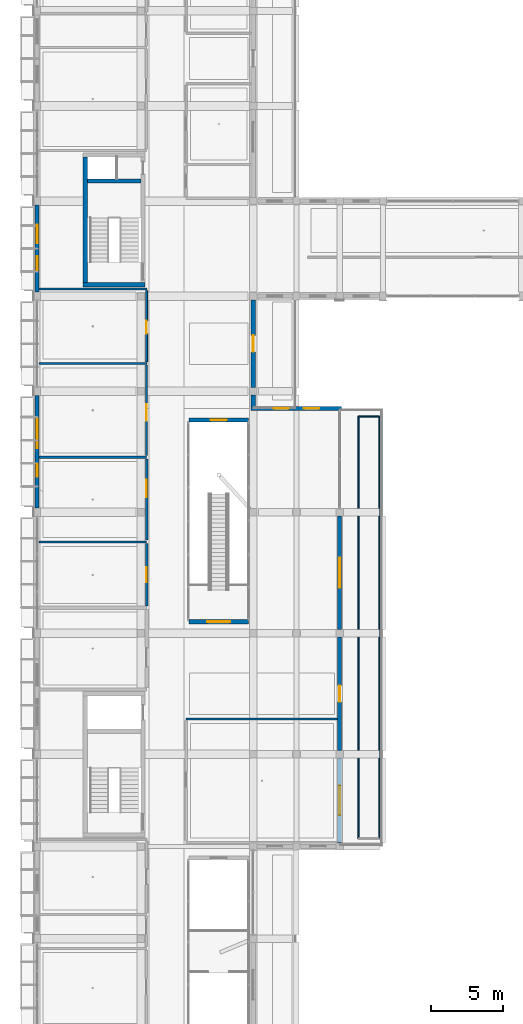
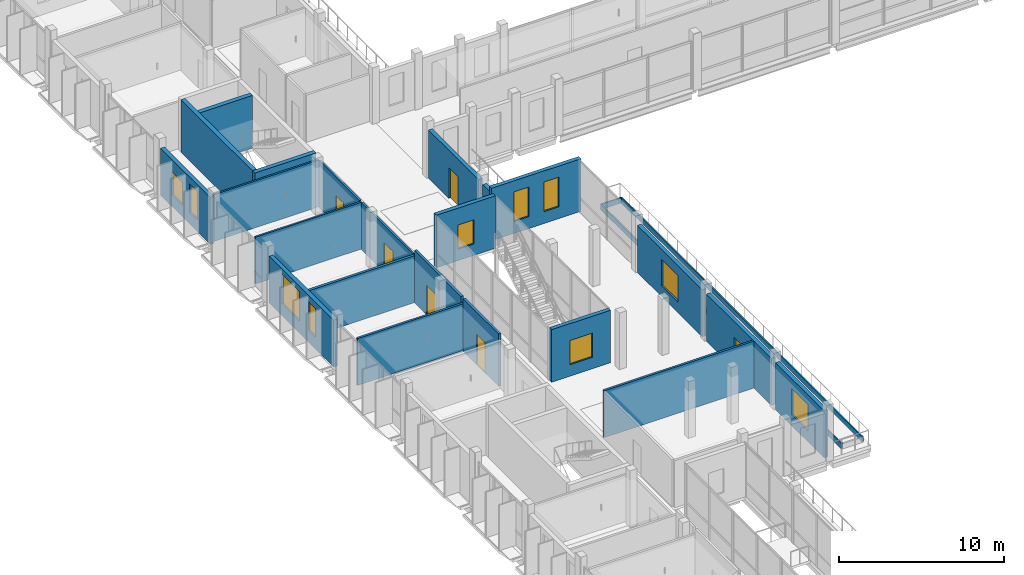
# One storey, part 49 of 85: 25 walls, 10 windows, 6 doors, 16 openings.
"""IFC4 building model written with IfcOpenShell, lengths in metres."""

from ifc_helpers import new_model, si_unit, derived_unit, direction, frame, frame_2d, origin, origin_with_axes, place, context, subcontext, project, spatial, rectangle, extrude, material, layer, layer_set, type_object, element, fill, save


model = new_model("IFC4")

# Units and contexts
model_context = context("Model", 3, precision=1e-05, world=origin(), true_north=direction((0.0, 1.0)))
body_context = subcontext(model_context, "Body", "Model", "MODEL_VIEW")
ifc_project = project(units=[si_unit("LENGTHUNIT", "METRE"), si_unit("AREAUNIT", "SQUARE_METRE"), si_unit("VOLUMEUNIT", "CUBIC_METRE"), si_unit("PLANEANGLEUNIT", "RADIAN"), si_unit("MASSUNIT", "GRAM", prefix="KILO"), derived_unit("THERMALTRANSMITTANCEUNIT", [(si_unit("POWERUNIT", "WATT"), 1), (si_unit("LENGTHUNIT", "METRE"), -2), (si_unit("THERMODYNAMICTEMPERATUREUNIT", "KELVIN"), -1)])], contexts=[model_context])

# Site, building, storey
site_placement = place(None, origin())
site = spatial("IfcSite", under=ifc_project, at=site_placement, CompositionType="ELEMENT")
building_placement = place(site_placement, origin())
building = spatial("IfcBuilding", under=site, at=building_placement, Name="Braskholm Square Health Centre", CompositionType="ELEMENT")
storey_placement = place(building_placement, frame((0.0, 0.0, 9.300048828125)))
storey = spatial("IfcBuildingStorey", under=building, at=storey_placement, Name="L03", CompositionType="ELEMENT", Elevation=9.300048828125)

# Wall, opening, door
ifc_material_1 = material(Name="Fire-rated gypsum board barrier")
ifc_layer_1 = layer(ifc_material_1, 0.175048828125)
ifc_layer_set_1 = layer_set([ifc_layer_1], Name="Fire-rated gypsum board barrier")
wall_type_1 = type_object("IfcWallType", Name="AmbulatoryFirePartition175", PredefinedType="PARTITIONING", material=ifc_layer_set_1)
wall_1_placement = place(storey_placement, frame((11.800048828125, 65.68994140625, 0.0), z_axis=(0.0, 0.0, 1.0), x_axis=(0.0, 1.0, 0.0)))
wall_1 = element("IfcWall", 1, at=wall_1_placement, inside=storey, type_object=wall_type_1, Name="Interior partition PWALL-L03-0127", PredefinedType="PARTITIONING", context=body_context, shape_type="SweptSolid", body=[
    extrude(rectangle(XDim=4.330078125, YDim=0.175048828125, at=frame_2d((2.1650390625, 0.0))), origin(), (0.0, 0.0, 1.0), 3.89501953125),
])
opening_1_placement = place(wall_1_placement, frame((1.639892578125, 0.0, 0.0)))
opening_1 = element("IfcOpeningElement", 2, at=opening_1_placement, cuts=wall_1, Name="Opening D-29", PredefinedType="OPENING", context=body_context, shape_type="SweptSolid", body=[
    extrude(rectangle(XDim=1.050048828125, YDim=2.239990234375, at=frame_2d((0.52490234375, 1.1201171875))), frame((0.0, 0.09765625, 0.0), z_axis=(0.0, -1.0, 0.0), x_axis=(1.0, 0.0, 0.0)), (0.0, 0.0, 1.0), 0.195068359375),
])
ifc_material_2 = material(Name="Architectural bronze anodised aluminium", Category="aluminium")
door_type_1 = type_object("IfcDoorType", Name="DoorLabSingle1050x2240", OperationType="NOTDEFINED", PredefinedType="DOOR", material=ifc_material_2)
door_1_placement = place(opening_1_placement, origin_with_axes())
door_1 = element("IfcDoor", 3, at=door_1_placement, inside=storey, type_object=door_type_1, Name="Interior door 0058 L03", OperationType="SINGLE_SWING_LEFT", OverallHeight=2.239990234375, OverallWidth=1.050048828125, PredefinedType="DOOR", context=body_context, shape_type="SweptSolid", body=[
    extrude(rectangle(XDim=1.050048828125, YDim=2.239990234375, at=frame_2d((0.52490234375, 1.1201171875))), frame((0.0, 0.02490234375, 0.0), z_axis=(0.0, -1.0, 0.0), x_axis=(1.0, 0.0, 0.0)), (0.0, 0.0, 1.0), 0.050048828125),
])
fill(opening_1, door_1)

wall_2_placement = place(storey_placement, frame((11.800048828125, 70.260009765625, 0.0), z_axis=(0.0, 0.0, 1.0), x_axis=(0.0, 1.0, 0.0)))
wall_2 = element("IfcWall", 4, at=wall_2_placement, inside=storey, type_object=wall_type_1, Name="Interior partition PWALL-L03-0129", PredefinedType="PARTITIONING", context=body_context, shape_type="SweptSolid", body=[
    extrude(rectangle(XDim=5.64990234375, YDim=0.175048828125, at=frame_2d((2.824951171875, 0.0))), origin(), (0.0, 0.0, 1.0), 3.89501953125),
])
opening_2_placement = place(wall_2_placement, frame((2.967041015625, 0.0, 0.0)))
opening_2 = element("IfcOpeningElement", 5, at=opening_2_placement, cuts=wall_2, Name="Opening D-04", PredefinedType="OPENING", context=body_context, shape_type="SweptSolid", body=[
    extrude(rectangle(XDim=1.219970703125, YDim=2.199951171875, at=frame_2d((0.60986328125, 1.10009765625))), frame((0.0, 0.09765625, 0.0), z_axis=(0.0, -1.0, 0.0), x_axis=(1.0, 0.0, 0.0)), (0.0, 0.0, 1.0), 0.195068359375),
])
door_type_2 = type_object("IfcDoorType", Name="DoorBariatricExam1220x2200", OperationType="NOTDEFINED", PredefinedType="DOOR", material=ifc_material_2)
door_2_placement = place(opening_2_placement, origin_with_axes())
door_2 = element("IfcDoor", 6, at=door_2_placement, inside=storey, type_object=door_type_2, Name="Interior door 0059 L03", OperationType="SINGLE_SWING_RIGHT", OverallHeight=2.199951171875, OverallWidth=1.219970703125, PredefinedType="DOOR", context=body_context, shape_type="SweptSolid", body=[
    extrude(rectangle(XDim=1.219970703125, YDim=2.199951171875, at=frame_2d((0.60986328125, 1.10009765625))), frame((0.0, 0.02490234375, 0.0), z_axis=(0.0, -1.0, 0.0), x_axis=(1.0, 0.0, 0.0)), (0.0, 0.0, 1.0), 0.050048828125),
])
fill(opening_2, door_2)

# Wall
wall_3_placement = place(storey_placement, frame((4.340087890625, 76.030029296875, 0.0), z_axis=(0.0, 0.0, 1.0), x_axis=(1.0, 0.0, 0.0)))
element("IfcWall", 7, at=wall_3_placement, inside=storey, type_object=wall_type_1, Name="Interior partition PWALL-L03-0130", PredefinedType="PARTITIONING", context=body_context, shape_type="SweptSolid", body=[
    extrude(rectangle(XDim=7.4599609375, YDim=0.175048828125, at=frame_2d((3.72998046875, 0.0))), origin(), (0.0, 0.0, 1.0), 3.474853515625),
])

# Wall, opening, door
ifc_material_3 = material(Name="Acoustic gypsum board partition")
ifc_layer_2 = layer(ifc_material_3, 0.125)
ifc_layer_set_2 = layer_set([ifc_layer_2], Name="Acoustic gypsum board partition")
wall_type_2 = type_object("IfcWallType", Name="ClinicalExamPartition125", PredefinedType="PARTITIONING", material=ifc_layer_set_2)
wall_4_placement = place(storey_placement, frame((11.800048828125, 76.14990234375, 0.0), z_axis=(0.0, 0.0, 1.0), x_axis=(0.0, 1.0, 0.0)))
wall_4 = element("IfcWall", 8, at=wall_4_placement, inside=storey, type_object=wall_type_2, Name="Interior partition PWALL-L03-0131", PredefinedType="PARTITIONING", context=body_context, shape_type="SweptSolid", body=[
    extrude(rectangle(XDim=6.260009765625, YDim=0.125, at=frame_2d((3.1298828125, 0.0))), origin(), (0.0, 0.0, 1.0), 3.494873046875),
])
opening_3_placement = place(wall_4_placement, frame((2.416015625, 0.0, 0.0)))
opening_3 = element("IfcOpeningElement", 9, at=opening_3_placement, cuts=wall_4, Name="Opening D-03", PredefinedType="OPENING", context=body_context, shape_type="SweptSolid", body=[
    extrude(rectangle(XDim=1.1201171875, YDim=2.199951171875, at=frame_2d((0.56005859375, 1.10009765625))), frame((0.0, 0.072509765625, 0.0), z_axis=(0.0, -1.0, 0.0), x_axis=(1.0, 0.0, 0.0)), (0.0, 0.0, 1.0), 0.14501953125),
])
door_type_3 = type_object("IfcDoorType", Name="DoorProcedure1120x2200", OperationType="NOTDEFINED", PredefinedType="DOOR", material=ifc_material_2)
door_3_placement = place(opening_3_placement, origin_with_axes())
door_3 = element("IfcDoor", 10, at=door_3_placement, inside=storey, type_object=door_type_3, Name="Interior door 0060 L03", OperationType="SINGLE_SWING_LEFT", OverallHeight=2.199951171875, OverallWidth=1.1201171875, PredefinedType="DOOR", context=body_context, shape_type="SweptSolid", body=[
    extrude(rectangle(XDim=1.1201171875, YDim=2.199951171875, at=frame_2d((0.56005859375, 1.10009765625))), frame((0.0, 0.02490234375, 0.0), z_axis=(0.0, -1.0, 0.0), x_axis=(1.0, 0.0, 0.0)), (0.0, 0.0, 1.0), 0.050048828125),
])
fill(opening_3, door_3)

# Wall
wall_5_placement = place(storey_placement, frame((4.340087890625, 82.530029296875, 0.0), z_axis=(0.0, 0.0, 1.0), x_axis=(1.0, 0.0, 0.0)))
element("IfcWall", 11, at=wall_5_placement, inside=storey, type_object=wall_type_2, Name="Interior partition PWALL-L03-0132", PredefinedType="PARTITIONING", context=body_context, shape_type="SweptSolid", body=[
    extrude(rectangle(XDim=7.4599609375, YDim=0.125, at=frame_2d((3.72998046875, 0.0))), origin(), (0.0, 0.0, 1.0), 3.474853515625),
])

# Wall, opening, door
wall_6_placement = place(storey_placement, frame((11.800048828125, 82.64990234375, 0.0), z_axis=(0.0, 0.0, 1.0), x_axis=(0.0, 1.0, 0.0)))
wall_6 = element("IfcWall", 12, at=wall_6_placement, inside=storey, type_object=wall_type_2, Name="Interior partition PWALL-L03-0133", PredefinedType="PARTITIONING", context=body_context, shape_type="SweptSolid", body=[
    extrude(rectangle(XDim=4.93017578125, YDim=0.125, at=frame_2d((2.465087890625, 0.0))), origin(), (0.0, 0.0, 1.0), 3.494873046875),
])
opening_4_placement = place(wall_6_placement, frame((1.928955078125, 0.0, 0.0)))
opening_4 = element("IfcOpeningElement", 13, at=opening_4_placement, cuts=wall_6, Name="Opening D-01", PredefinedType="OPENING", context=body_context, shape_type="SweptSolid", body=[
    extrude(rectangle(XDim=0.919921875, YDim=2.14990234375, at=frame_2d((0.4599609375, 1.074951171875))), frame((0.0, 0.072509765625, 0.0), z_axis=(0.0, -1.0, 0.0), x_axis=(1.0, 0.0, 0.0)), (0.0, 0.0, 1.0), 0.14501953125),
])
door_type_4 = type_object("IfcDoorType", Name="DoorConsultSingle920x2150", OperationType="NOTDEFINED", PredefinedType="DOOR", material=ifc_material_2)
door_4_placement = place(opening_4_placement, origin_with_axes())
door_4 = element("IfcDoor", 14, at=door_4_placement, inside=storey, type_object=door_type_4, Name="Interior door 0061 L03", OperationType="SINGLE_SWING_RIGHT", OverallHeight=2.14990234375, OverallWidth=0.919921875, PredefinedType="DOOR", context=body_context, shape_type="SweptSolid", body=[
    extrude(rectangle(XDim=0.919921875, YDim=2.14990234375, at=frame_2d((0.4599609375, 1.074951171875))), frame((0.0, 0.02490234375, 0.0), z_axis=(0.0, -1.0, 0.0), x_axis=(1.0, 0.0, 0.0)), (0.0, 0.0, 1.0), 0.050048828125),
])
fill(opening_4, door_4)

# Walls
wall_7_placement = place(storey_placement, frame((4.340087890625, 87.699951171875, 0.0), z_axis=(0.0, 0.0, 1.0), x_axis=(1.0, 0.0, 0.0)))
element("IfcWall", 15, at=wall_7_placement, inside=storey, type_object=wall_type_2, Name="Interior partition PWALL-L03-0134", PredefinedType="PARTITIONING", context=body_context, shape_type="SweptSolid", body=[
    extrude(rectangle(XDim=7.4599609375, YDim=0.125, at=frame_2d((3.72998046875, 0.0))), origin(), (0.0, 0.0, 1.0), 3.474853515625),
])
ifc_layer_3 = layer(ifc_material_3, 0.14990234375)
ifc_layer_set_3 = layer_set([ifc_layer_3], Name="Acoustic gypsum board partition")
wall_type_3 = type_object("IfcWallType", Name="CorridorAcousticPartition150", PredefinedType="PARTITIONING", material=ifc_layer_set_3)
wall_8_placement = place(storey_placement, frame((4.340087890625, 70.139892578125, 0.0), z_axis=(0.0, 0.0, 1.0), x_axis=(1.0, 0.0, 0.0)))
element("IfcWall", 16, at=wall_8_placement, inside=storey, type_object=wall_type_3, Name="Interior partition PWALL-L03-0128", PredefinedType="PARTITIONING", context=body_context, shape_type="SweptSolid", body=[
    extrude(rectangle(XDim=7.4599609375, YDim=0.14990234375, at=frame_2d((3.72998046875, 0.0))), origin(), (0.0, 0.0, 1.0), 3.474853515625),
])
wall_9_placement = place(storey_placement, frame((14.550048828125, 57.85009765625, 0.0), z_axis=(0.0, 0.0, 1.0), x_axis=(1.0, 0.0, 0.0)))
element("IfcWall", 17, at=wall_9_placement, inside=storey, type_object=wall_type_3, Name="Interior partition PWALL-L03-0150", PredefinedType="PARTITIONING", context=body_context, shape_type="SweptSolid", body=[
    extrude(rectangle(XDim=10.510009765625, YDim=0.14990234375, at=frame_2d((5.2548828125, 0.0))), origin(), (0.0, 0.0, 1.0), 3.48486328125),
])

# Wall, openings, windows
ifc_material_4 = material(Name="Precast concrete C40/50 architectural white", Category="concrete")
ifc_layer_4 = layer(ifc_material_4, 0.280029296875)
ifc_layer_set_4 = layer_set([ifc_layer_4], Name="Precast concrete C40/50 architectural white")
wall_type_4 = type_object("IfcWallType", Name="ExteriorPrecastSpandrelWall280", PredefinedType="SOLIDWALL", material=ifc_layer_set_4)
wall_10_placement = place(storey_placement, frame((4.199951171875, 80.318115234375, 0.0), z_axis=(0.0, 0.0, 1.0), x_axis=(0.0, -1.0, 0.0)))
wall_10 = element("IfcWall", 18, at=wall_10_placement, inside=storey, type_object=wall_type_4, Name="Exterior wall EWALL-L03-0025", PredefinedType="SOLIDWALL", context=body_context, shape_type="SweptSolid", body=[
    extrude(rectangle(XDim=7.836181640625, YDim=0.280029296875, at=frame_2d((3.91796875, 0.0))), origin(), (0.0, 0.0, 1.0), 3.47998046875),
])
opening_5_placement = place(wall_10_placement, frame((1.56201171875, 0.0, 0.8798828125)))
opening_5 = element("IfcOpeningElement", 19, at=opening_5_placement, cuts=wall_10, Name="Opening WN-04", PredefinedType="OPENING", context=body_context, shape_type="SweptSolid", body=[
    extrude(rectangle(XDim=2.10009765625, YDim=2.199951171875, at=frame_2d((1.050048828125, 1.10009765625))), frame((0.0, 0.14990234375, 0.0), z_axis=(0.0, -1.0, 0.0), x_axis=(1.0, 0.0, 0.0)), (0.0, 0.0, 1.0), 0.300048828125),
])
opening_6_placement = place(wall_10_placement, frame((4.799072265625, 0.0, 0.8798828125)))
opening_6 = element("IfcOpeningElement", 20, at=opening_6_placement, cuts=wall_10, Name="Opening WN-32", PredefinedType="OPENING", context=body_context, shape_type="SweptSolid", body=[
    extrude(rectangle(XDim=0.85009765625, YDim=2.10009765625, at=frame_2d((0.425048828125, 1.050048828125))), frame((0.0, 0.14990234375, 0.0), z_axis=(0.0, -1.0, 0.0), x_axis=(1.0, 0.0, 0.0)), (0.0, 0.0, 1.0), 0.300048828125),
])
ifc_material_5 = material(Name="Low-E triple insulating glass (VLT 0.64)", Category="glass")
window_type_1 = type_object("IfcWindowType", Name="WinArtDecoNarrow850x2100", PartitioningType="SINGLE_PANEL", PredefinedType="WINDOW", material=ifc_material_5)
window_1_placement = place(opening_6_placement, origin_with_axes())
window_1 = element("IfcWindow", 21, at=window_1_placement, inside=storey, type_object=window_type_1, Name="Exterior window 0046 L03", OverallHeight=2.10009765625, OverallWidth=0.85009765625, PartitioningType="SINGLE_PANEL", PredefinedType="WINDOW", context=body_context, shape_type="SweptSolid", body=[
    extrude(rectangle(XDim=0.85009765625, YDim=2.10009765625, at=frame_2d((0.425048828125, 1.050048828125))), frame((0.0, 0.030029296875, 0.0), z_axis=(0.0, -1.0, 0.0), x_axis=(1.0, 0.0, 0.0)), (0.0, 0.0, 1.0), 0.06005859375),
])
fill(opening_6, window_1)
window_type_2 = type_object("IfcWindowType", Name="WinArtDecoTriple2100x2200", PartitioningType="SINGLE_PANEL", PredefinedType="WINDOW", material=ifc_material_5)
window_2_placement = place(opening_5_placement, origin_with_axes())
window_2 = element("IfcWindow", 22, at=window_2_placement, inside=storey, type_object=window_type_2, Name="Exterior window 0045 L03", OverallHeight=2.199951171875, OverallWidth=2.10009765625, PartitioningType="SINGLE_PANEL", PredefinedType="WINDOW", context=body_context, shape_type="SweptSolid", body=[
    extrude(rectangle(XDim=2.10009765625, YDim=2.199951171875, at=frame_2d((1.050048828125, 1.10009765625))), frame((0.0, 0.030029296875, 0.0), z_axis=(0.0, -1.0, 0.0), x_axis=(1.0, 0.0, 0.0)), (0.0, 0.0, 1.0), 0.06005859375),
])
fill(opening_5, window_2)

wall_11_placement = place(storey_placement, frame((4.199951171875, 93.51806640625, 0.0), z_axis=(0.0, 0.0, 1.0), x_axis=(0.0, -1.0, 0.0)))
wall_11 = element("IfcWall", 23, at=wall_11_placement, inside=storey, type_object=wall_type_4, Name="Exterior wall EWALL-L03-0026", PredefinedType="SOLIDWALL", context=body_context, shape_type="SweptSolid", body=[
    extrude(rectangle(XDim=6.0361328125, YDim=0.280029296875, at=frame_2d((3.01806640625, 0.0))), origin(), (0.0, 0.0, 1.0), 3.47998046875),
])
opening_7_placement = place(wall_11_placement, frame((1.362060546875, 0.0, 0.8798828125)))
opening_7 = element("IfcOpeningElement", 24, at=opening_7_placement, cuts=wall_11, Name="Opening WN-17", PredefinedType="OPENING", context=body_context, shape_type="SweptSolid", body=[
    extrude(rectangle(XDim=1.300048828125, YDim=1.699951171875, at=frame_2d((0.64990234375, 0.85009765625))), frame((0.0, 0.14990234375, 0.0), z_axis=(0.0, -1.0, 0.0), x_axis=(1.0, 0.0, 0.0)), (0.0, 0.0, 1.0), 0.300048828125),
])
opening_8_placement = place(wall_11_placement, frame((3.533935546875, 0.0, 0.8798828125)))
opening_8 = element("IfcOpeningElement", 25, at=opening_8_placement, cuts=wall_11, Name="Opening WN-33", PredefinedType="OPENING", context=body_context, shape_type="SweptSolid", body=[
    extrude(rectangle(XDim=0.97998046875, YDim=2.10009765625, at=frame_2d((0.489990234375, 1.050048828125))), frame((0.0, 0.14990234375, 0.0), z_axis=(0.0, -1.0, 0.0), x_axis=(1.0, 0.0, 0.0)), (0.0, 0.0, 1.0), 0.300048828125),
])
window_type_3 = type_object("IfcWindowType", Name="WinArtDecoNarrow980x2100", PartitioningType="SINGLE_PANEL", PredefinedType="WINDOW", material=ifc_material_5)
window_3_placement = place(opening_8_placement, origin_with_axes())
window_3 = element("IfcWindow", 26, at=window_3_placement, inside=storey, type_object=window_type_3, Name="Exterior window 0048 L03", OverallHeight=2.10009765625, OverallWidth=0.97998046875, PartitioningType="SINGLE_PANEL", PredefinedType="WINDOW", context=body_context, shape_type="SweptSolid", body=[
    extrude(rectangle(XDim=0.97998046875, YDim=2.10009765625, at=frame_2d((0.489990234375, 1.050048828125))), frame((0.0, 0.030029296875, 0.0), z_axis=(0.0, -1.0, 0.0), x_axis=(1.0, 0.0, 0.0)), (0.0, 0.0, 1.0), 0.06005859375),
])
fill(opening_8, window_3)
window_type_4 = type_object("IfcWindowType", Name="WinDentalDaylight1300x1700", PartitioningType="SINGLE_PANEL", PredefinedType="WINDOW", material=ifc_material_5)
window_4_placement = place(opening_7_placement, origin_with_axes())
window_4 = element("IfcWindow", 27, at=window_4_placement, inside=storey, type_object=window_type_4, Name="Exterior window 0047 L03", OverallHeight=1.699951171875, OverallWidth=1.300048828125, PartitioningType="SINGLE_PANEL", PredefinedType="WINDOW", context=body_context, shape_type="SweptSolid", body=[
    extrude(rectangle(XDim=1.300048828125, YDim=1.699951171875, at=frame_2d((0.64990234375, 0.85009765625))), frame((0.0, 0.030029296875, 0.0), z_axis=(0.0, -1.0, 0.0), x_axis=(1.0, 0.0, 0.0)), (0.0, 0.0, 1.0), 0.06005859375),
])
fill(opening_7, window_4)

# Wall, opening, window
wall_12_placement = place(storey_placement, frame((25.199951171875, 49.251953125, 0.0), z_axis=(0.0, 0.0, 1.0), x_axis=(0.0, 1.0, 0.0)))
wall_12 = element("IfcWall", 28, at=wall_12_placement, inside=storey, type_object=wall_type_4, Name="Exterior wall EWALL-L03-0122", PredefinedType="SOLIDWALL", context=body_context, shape_type="SweptSolid", body=[
    extrude(rectangle(XDim=5.89599609375, YDim=0.280029296875, at=frame_2d((2.947998046875, 0.0))), origin(), (0.0, 0.0, 1.0), 3.489990234375),
])
opening_9_placement = place(wall_12_placement, frame((1.923095703125, 0.0, 0.800048828125)))
opening_9 = element("IfcOpeningElement", 29, at=opening_9_placement, cuts=wall_12, Name="Opening WN-25", PredefinedType="OPENING", context=body_context, shape_type="SweptSolid", body=[
    extrude(rectangle(XDim=2.050048828125, YDim=1.949951171875, at=frame_2d((1.02490234375, 0.97509765625))), frame((0.0, 0.14990234375, 0.0), z_axis=(0.0, -1.0, 0.0), x_axis=(1.0, 0.0, 0.0)), (0.0, 0.0, 1.0), 0.300048828125),
])
window_type_5 = type_object("IfcWindowType", Name="WinValleyTerrace2050x1950", PartitioningType="SINGLE_PANEL", PredefinedType="WINDOW", material=ifc_material_5)
window_5_placement = place(opening_9_placement, origin_with_axes())
window_5 = element("IfcWindow", 30, at=window_5_placement, inside=storey, type_object=window_type_5, Name="Exterior window 0188 L03", OverallHeight=1.949951171875, OverallWidth=2.050048828125, PartitioningType="SINGLE_PANEL", PredefinedType="WINDOW", context=body_context, shape_type="SweptSolid", body=[
    extrude(rectangle(XDim=2.050048828125, YDim=1.949951171875, at=frame_2d((1.02490234375, 0.97509765625))), frame((0.0, 0.030029296875, 0.0), z_axis=(0.0, -1.0, 0.0), x_axis=(1.0, 0.0, 0.0)), (0.0, 0.0, 1.0), 0.06005859375),
])
fill(opening_9, window_5)

# Wall, opening, door
wall_13_placement = place(storey_placement, frame((25.199951171875, 55.652099609375, 0.0), z_axis=(0.0, 0.0, 1.0), x_axis=(0.0, 1.0, 0.0)))
wall_13 = element("IfcWall", 31, at=wall_13_placement, inside=storey, type_object=wall_type_4, Name="Exterior wall EWALL-L03-0123", PredefinedType="SOLIDWALL", context=body_context, shape_type="SweptSolid", body=[
    extrude(rectangle(XDim=7.89599609375, YDim=0.280029296875, at=frame_2d((3.947998046875, 0.0))), origin(), (0.0, 0.0, 1.0), 3.489990234375),
])
opening_10_placement = place(wall_13_placement, frame((3.3779296875, 0.0, 0.0)))
opening_10 = element("IfcOpeningElement", 32, at=opening_10_placement, cuts=wall_13, Name="Opening D-T1", PredefinedType="OPENING", context=body_context, shape_type="SweptSolid", body=[
    extrude(rectangle(XDim=1.139892578125, YDim=2.300048828125, at=frame_2d((0.56982421875, 1.14990234375))), frame((0.0, 0.14990234375, 0.0), z_axis=(0.0, -1.0, 0.0), x_axis=(1.0, 0.0, 0.0)), (0.0, 0.0, 1.0), 0.300048828125),
])
door_type_5 = type_object("IfcDoorType", Name="DoorPlantedTerrace1140x2300", OperationType="NOTDEFINED", PredefinedType="DOOR", material=ifc_material_5)
door_5_placement = place(opening_10_placement, frame((1.139892578125, 0.0, 0.0), z_axis=(0.0, 0.0, 1.0), x_axis=(-1.0, 0.0, 0.0)))
door_5 = element("IfcDoor", 33, at=door_5_placement, inside=storey, type_object=door_type_5, Name="Exterior door 0015 L03", OperationType="SINGLE_SWING_LEFT", OverallHeight=2.300048828125, OverallWidth=1.139892578125, PredefinedType="DOOR", context=body_context, shape_type="SweptSolid", body=[
    extrude(rectangle(XDim=1.139892578125, YDim=2.300048828125, at=frame_2d((0.56982421875, 1.14990234375))), frame((0.0, 0.02490234375, 0.0), z_axis=(0.0, -1.0, 0.0), x_axis=(1.0, 0.0, 0.0)), (0.0, 0.0, 1.0), 0.050048828125),
])
fill(opening_10, door_5)

# Wall, opening, window
wall_14_placement = place(storey_placement, frame((25.199951171875, 64.052001953125, 0.0), z_axis=(0.0, 0.0, 1.0), x_axis=(0.0, 1.0, 0.0)))
wall_14 = element("IfcWall", 34, at=wall_14_placement, inside=storey, type_object=wall_type_4, Name="Exterior wall EWALL-L03-0124", PredefinedType="SOLIDWALL", context=body_context, shape_type="SweptSolid", body=[
    extrude(rectangle(XDim=7.89599609375, YDim=0.280029296875, at=frame_2d((3.947998046875, 0.0))), origin(), (0.0, 0.0, 1.0), 3.489990234375),
])
opening_11_placement = place(wall_14_placement, frame((2.923095703125, 0.0, 0.800048828125)))
opening_11 = element("IfcOpeningElement", 35, at=opening_11_placement, cuts=wall_14, Name="Opening WN-25", PredefinedType="OPENING", context=body_context, shape_type="SweptSolid", body=[
    extrude(rectangle(XDim=2.050048828125, YDim=1.949951171875, at=frame_2d((1.02490234375, 0.97509765625))), frame((0.0, 0.14990234375, 0.0), z_axis=(0.0, -1.0, 0.0), x_axis=(1.0, 0.0, 0.0)), (0.0, 0.0, 1.0), 0.300048828125),
])
window_6_placement = place(opening_11_placement, origin_with_axes())
window_6 = element("IfcWindow", 36, at=window_6_placement, inside=storey, type_object=window_type_5, Name="Exterior window 0189 L03", OverallHeight=1.949951171875, OverallWidth=2.050048828125, PartitioningType="SINGLE_PANEL", PredefinedType="WINDOW", context=body_context, shape_type="SweptSolid", body=[
    extrude(rectangle(XDim=2.050048828125, YDim=1.949951171875, at=frame_2d((1.02490234375, 0.97509765625))), frame((0.0, 0.030029296875, 0.0), z_axis=(0.0, -1.0, 0.0), x_axis=(1.0, 0.0, 0.0)), (0.0, 0.0, 1.0), 0.06005859375),
])
fill(opening_11, window_6)

# Wall
wall_15_placement = place(storey_placement, frame((19.199951171875, 79.5419921875, 0.0), z_axis=(0.0, 0.0, 1.0), x_axis=(0.0, 1.0, 0.0)))
element("IfcWall", 37, at=wall_15_placement, inside=storey, type_object=wall_type_4, Name="Exterior wall EWALL-L03-0125", PredefinedType="SOLIDWALL", context=body_context, shape_type="SweptSolid", body=[
    extrude(rectangle(XDim=0.805908203125, YDim=0.280029296875, at=frame_2d((0.40283203125, 0.0))), origin(), (0.0, 0.0, 1.0), 3.52001953125),
])

# Wall, opening, door
wall_16_placement = place(storey_placement, frame((19.199951171875, 80.85205078125, 0.0), z_axis=(0.0, 0.0, 1.0), x_axis=(0.0, 1.0, 0.0)))
wall_16 = element("IfcWall", 38, at=wall_16_placement, inside=storey, type_object=wall_type_4, Name="Exterior wall EWALL-L03-0126", PredefinedType="SOLIDWALL", context=body_context, shape_type="SweptSolid", body=[
    extrude(rectangle(XDim=6.095947265625, YDim=0.280029296875, at=frame_2d((3.0478515625, 0.0))), origin(), (0.0, 0.0, 1.0), 3.570068359375),
])
opening_12_placement = place(wall_16_placement, frame((2.47802734375, 0.0, 0.0)))
opening_12 = element("IfcOpeningElement", 39, at=opening_12_placement, cuts=wall_16, Name="Opening D-T1", PredefinedType="OPENING", context=body_context, shape_type="SweptSolid", body=[
    extrude(rectangle(XDim=1.139892578125, YDim=2.300048828125, at=frame_2d((0.56982421875, 1.14990234375))), frame((0.0, 0.14990234375, 0.0), z_axis=(0.0, -1.0, 0.0), x_axis=(1.0, 0.0, 0.0)), (0.0, 0.0, 1.0), 0.300048828125),
])
door_6_placement = place(opening_12_placement, frame((1.139892578125, 0.0, 0.0), z_axis=(0.0, 0.0, 1.0), x_axis=(-1.0, 0.0, 0.0)))
door_6 = element("IfcDoor", 40, at=door_6_placement, inside=storey, type_object=door_type_5, Name="Exterior door 0016 L03", OperationType="SINGLE_SWING_LEFT", OverallHeight=2.300048828125, OverallWidth=1.139892578125, PredefinedType="DOOR", context=body_context, shape_type="SweptSolid", body=[
    extrude(rectangle(XDim=1.139892578125, YDim=2.300048828125, at=frame_2d((0.56982421875, 1.14990234375))), frame((0.0, 0.02490234375, 0.0), z_axis=(0.0, -1.0, 0.0), x_axis=(1.0, 0.0, 0.0)), (0.0, 0.0, 1.0), 0.050048828125),
])
fill(opening_12, door_6)

# Wall, openings, windows
wall_17_placement = place(storey_placement, frame((25.340087890625, 79.39990234375, 0.0), z_axis=(0.0, 0.0, 1.0), x_axis=(-1.0, 0.0, 0.0)))
wall_17 = element("IfcWall", 41, at=wall_17_placement, inside=storey, type_object=wall_type_4, Name="Exterior wall EWALL-L03-0221", PredefinedType="SOLIDWALL", context=body_context, shape_type="SweptSolid", body=[
    extrude(rectangle(XDim=6.280029296875, YDim=0.280029296875, at=frame_2d((3.14013671875, 0.0))), origin(), (0.0, 0.0, 1.0), 3.89990234375),
])
opening_13_placement = place(wall_17_placement, frame((1.568115234375, 0.0, 0.8798828125)))
opening_13 = element("IfcOpeningElement", 42, at=opening_13_placement, cuts=wall_17, Name="Opening WN-02", PredefinedType="OPENING", context=body_context, shape_type="SweptSolid", body=[
    extrude(rectangle(XDim=1.050048828125, YDim=2.199951171875, at=frame_2d((0.52490234375, 1.10009765625))), frame((0.0, 0.14990234375, 0.0), z_axis=(0.0, -1.0, 0.0), x_axis=(1.0, 0.0, 0.0)), (0.0, 0.0, 1.0), 0.300048828125),
])
opening_14_placement = place(wall_17_placement, frame((3.662109375, 0.0, 0.8798828125)))
opening_14 = element("IfcOpeningElement", 43, at=opening_14_placement, cuts=wall_17, Name="Opening WN-02", PredefinedType="OPENING", context=body_context, shape_type="SweptSolid", body=[
    extrude(rectangle(XDim=1.050048828125, YDim=2.199951171875, at=frame_2d((0.52490234375, 1.10009765625))), frame((0.0, 0.14990234375, 0.0), z_axis=(0.0, -1.0, 0.0), x_axis=(1.0, 0.0, 0.0)), (0.0, 0.0, 1.0), 0.300048828125),
])
window_type_6 = type_object("IfcWindowType", Name="WinArtDecoLancet1050x2200", PartitioningType="SINGLE_PANEL", PredefinedType="WINDOW", material=ifc_material_5)
window_7_placement = place(opening_13_placement, origin_with_axes())
window_7 = element("IfcWindow", 44, at=window_7_placement, inside=storey, type_object=window_type_6, Name="Exterior window 0274 L03", OverallHeight=2.199951171875, OverallWidth=1.050048828125, PartitioningType="SINGLE_PANEL", PredefinedType="WINDOW", context=body_context, shape_type="SweptSolid", body=[
    extrude(rectangle(XDim=1.050048828125, YDim=2.199951171875, at=frame_2d((0.52490234375, 1.10009765625))), frame((0.0, 0.030029296875, 0.0), z_axis=(0.0, -1.0, 0.0), x_axis=(1.0, 0.0, 0.0)), (0.0, 0.0, 1.0), 0.06005859375),
])
fill(opening_13, window_7)
window_8_placement = place(opening_14_placement, origin_with_axes())
window_8 = element("IfcWindow", 45, at=window_8_placement, inside=storey, type_object=window_type_6, Name="Exterior window 0275 L03", OverallHeight=2.199951171875, OverallWidth=1.050048828125, PartitioningType="SINGLE_PANEL", PredefinedType="WINDOW", context=body_context, shape_type="SweptSolid", body=[
    extrude(rectangle(XDim=1.050048828125, YDim=2.199951171875, at=frame_2d((0.52490234375, 1.10009765625))), frame((0.0, 0.030029296875, 0.0), z_axis=(0.0, -1.0, 0.0), x_axis=(1.0, 0.0, 0.0)), (0.0, 0.0, 1.0), 0.06005859375),
])
fill(opening_14, window_8)

# Wall, opening, window
wall_18_placement = place(storey_placement, frame((18.865966796875, 64.60009765625, 0.0), z_axis=(0.0, 0.0, 1.0), x_axis=(-1.0, 0.0, 0.0)))
wall_18 = element("IfcWall", 46, at=wall_18_placement, inside=storey, type_object=wall_type_4, Name="Exterior wall EWALL-L03-0299", PredefinedType="SOLIDWALL", context=body_context, shape_type="SweptSolid", body=[
    extrude(rectangle(XDim=4.132080078125, YDim=0.280029296875, at=frame_2d((2.06591796875, 0.0))), origin(), (0.0, 0.0, 1.0), 3.89990234375),
])
opening_15_placement = place(wall_18_placement, frame((1.26611328125, 0.0, 0.85009765625)))
opening_15 = element("IfcOpeningElement", 47, at=opening_15_placement, cuts=wall_18, Name="Opening WN-27", PredefinedType="OPENING", context=body_context, shape_type="SweptSolid", body=[
    extrude(rectangle(XDim=1.60009765625, YDim=1.800048828125, at=frame_2d((0.800048828125, 0.89990234375))), frame((0.0, 0.14990234375, 0.0), z_axis=(0.0, -1.0, 0.0), x_axis=(1.0, 0.0, 0.0)), (0.0, 0.0, 1.0), 0.300048828125),
])
window_type_7 = type_object("IfcWindowType", Name="WinLightCourt1600x1800", PartitioningType="SINGLE_PANEL", PredefinedType="WINDOW", material=ifc_material_5)
window_9_placement = place(opening_15_placement, origin_with_axes())
window_9 = element("IfcWindow", 48, at=window_9_placement, inside=storey, type_object=window_type_7, Name="Exterior window 0345 L03", OverallHeight=1.800048828125, OverallWidth=1.60009765625, PartitioningType="SINGLE_PANEL", PredefinedType="WINDOW", context=body_context, shape_type="SweptSolid", body=[
    extrude(rectangle(XDim=1.60009765625, YDim=1.800048828125, at=frame_2d((0.800048828125, 0.89990234375))), frame((0.0, 0.030029296875, 0.0), z_axis=(0.0, -1.0, 0.0), x_axis=(1.0, 0.0, 0.0)), (0.0, 0.0, 1.0), 0.06005859375),
])
fill(opening_15, window_9)

wall_19_placement = place(storey_placement, frame((14.73388671875, 78.60009765625, 0.0), z_axis=(0.0, 0.0, 1.0), x_axis=(1.0, 0.0, 0.0)))
wall_19 = element("IfcWall", 49, at=wall_19_placement, inside=storey, type_object=wall_type_4, Name="Exterior wall EWALL-L03-0300", PredefinedType="SOLIDWALL", context=body_context, shape_type="SweptSolid", body=[
    extrude(rectangle(XDim=4.132080078125, YDim=0.280029296875, at=frame_2d((2.06591796875, 0.0))), origin(), (0.0, 0.0, 1.0), 3.89990234375),
])
opening_16_placement = place(wall_19_placement, frame((1.51611328125, 0.0, 0.85009765625)))
opening_16 = element("IfcOpeningElement", 50, at=opening_16_placement, cuts=wall_19, Name="Opening WN-26", PredefinedType="OPENING", context=body_context, shape_type="SweptSolid", body=[
    extrude(rectangle(XDim=1.10009765625, YDim=1.800048828125, at=frame_2d((0.550048828125, 0.89990234375))), frame((0.0, 0.14990234375, 0.0), z_axis=(0.0, -1.0, 0.0), x_axis=(1.0, 0.0, 0.0)), (0.0, 0.0, 1.0), 0.300048828125),
])
window_type_8 = type_object("IfcWindowType", Name="WinLightCourt1100x1800", PartitioningType="SINGLE_PANEL", PredefinedType="WINDOW", material=ifc_material_5)
window_10_placement = place(opening_16_placement, origin_with_axes())
window_10 = element("IfcWindow", 51, at=window_10_placement, inside=storey, type_object=window_type_8, Name="Exterior window 0346 L03", OverallHeight=1.800048828125, OverallWidth=1.10009765625, PartitioningType="SINGLE_PANEL", PredefinedType="WINDOW", context=body_context, shape_type="SweptSolid", body=[
    extrude(rectangle(XDim=1.10009765625, YDim=1.800048828125, at=frame_2d((0.550048828125, 0.89990234375))), frame((0.0, 0.030029296875, 0.0), z_axis=(0.0, -1.0, 0.0), x_axis=(1.0, 0.0, 0.0)), (0.0, 0.0, 1.0), 0.06005859375),
])
fill(opening_16, window_10)

# Walls
ifc_material_6 = material(Name="Concrete C40/50 (f'c = 40 MPa)", Category="concrete")
ifc_layer_5 = layer(ifc_material_6, 0.300048828125)
ifc_layer_set_5 = layer_set([ifc_layer_5], Name="Concrete C40/50 (f'c = 40 MPa)")
wall_type_5 = type_object("IfcWallType", Name="ShearCoreWall300", PredefinedType="SHEAR", material=ifc_layer_set_5)
wall_20_placement = place(storey_placement, frame((7.39990234375, 88.0, 0.0), z_axis=(0.0, 0.0, 1.0), x_axis=(1.0, 0.0, 0.0)))
element("IfcWall", 52, at=wall_20_placement, inside=storey, type_object=wall_type_5, Name="CWALL-K3-L03 south wall", PredefinedType="SHEAR", context=body_context, shape_type="SweptSolid", body=[
    extrude(rectangle(XDim=4.300048828125, YDim=0.300048828125, at=frame_2d((2.14990234375, 0.0))), origin(), (0.0, 0.0, 1.0), 3.89990234375),
])
wall_21_placement = place(storey_placement, frame((7.550048828125, 96.85009765625, 0.0), z_axis=(0.0, 0.0, 1.0), x_axis=(0.0, -1.0, 0.0)))
element("IfcWall", 53, at=wall_21_placement, inside=storey, type_object=wall_type_5, Name="CWALL-K3-L03 west wall", PredefinedType="SHEAR", context=body_context, shape_type="SweptSolid", body=[
    extrude(rectangle(XDim=8.7001953125, YDim=0.300048828125, at=frame_2d((4.35009765625, 0.0))), origin(), (0.0, 0.0, 1.0), 3.89990234375),
])
wall_22_placement = place(storey_placement, frame((7.699951171875, 95.199951171875, 0.0), z_axis=(0.0, 0.0, 1.0), x_axis=(1.0, 0.0, 0.0)))
element("IfcWall", 54, at=wall_22_placement, inside=storey, type_object=wall_type_5, Name="Core K3 internal shear divider L03", PredefinedType="SHEAR", context=body_context, shape_type="SweptSolid", body=[
    extrude(rectangle(XDim=3.699951171875, YDim=0.300048828125, at=frame_2d((1.85009765625, 0.0))), origin(), (0.0, 0.0, 1.0), 3.89990234375),
])
ifc_layer_6 = layer(ifc_material_4, 0.10009765625)
ifc_layer_set_6 = layer_set([ifc_layer_6], Name="Precast concrete C40/50 architectural white")
wall_type_6 = type_object("IfcWallType", Name="SteppedPrecastParapet100", PredefinedType="PARAPET", material=ifc_layer_set_6)
wall_23_placement = place(storey_placement, frame((27.949951171875, 49.550048828125, 0.0), z_axis=(0.0, 0.0, 1.0), x_axis=(0.0, 1.0, 0.0)))
element("IfcWall", 55, at=wall_23_placement, inside=storey, type_object=wall_type_6, Name="Stepped precast planter parapet 010", PredefinedType="PARAPET", context=body_context, shape_type="SweptSolid", body=[
    extrude(rectangle(XDim=29.300048828125, YDim=0.10009765625, at=frame_2d((14.64990234375, 0.0))), origin(), (0.0, 0.0, 1.0), 0.3798828125),
])
wall_24_placement = place(storey_placement, frame((27.949951171875, 78.85009765625, 0.0), z_axis=(0.0, 0.0, 1.0), x_axis=(-1.0, 0.0, 0.0)))
element("IfcWall", 56, at=wall_24_placement, inside=storey, type_object=wall_type_6, Name="Stepped precast planter parapet 011", PredefinedType="PARAPET", context=body_context, shape_type="SweptSolid", body=[
    extrude(rectangle(XDim=1.449951171875, YDim=0.10009765625, at=frame_2d((0.72509765625, 0.0))), origin(), (0.0, 0.0, 1.0), 0.3798828125),
])
wall_25_placement = place(storey_placement, frame((26.5, 78.85009765625, 0.0), z_axis=(0.0, 0.0, 1.0), x_axis=(0.0, -1.0, 0.0)))
element("IfcWall", 57, at=wall_25_placement, inside=storey, type_object=wall_type_6, Name="Stepped precast planter parapet 012", PredefinedType="PARAPET", context=body_context, shape_type="SweptSolid", body=[
    extrude(rectangle(XDim=29.300048828125, YDim=0.10009765625, at=frame_2d((14.64990234375, 0.0))), origin(), (0.0, 0.0, 1.0), 0.3798828125),
])

save(model, "model.ifc")
